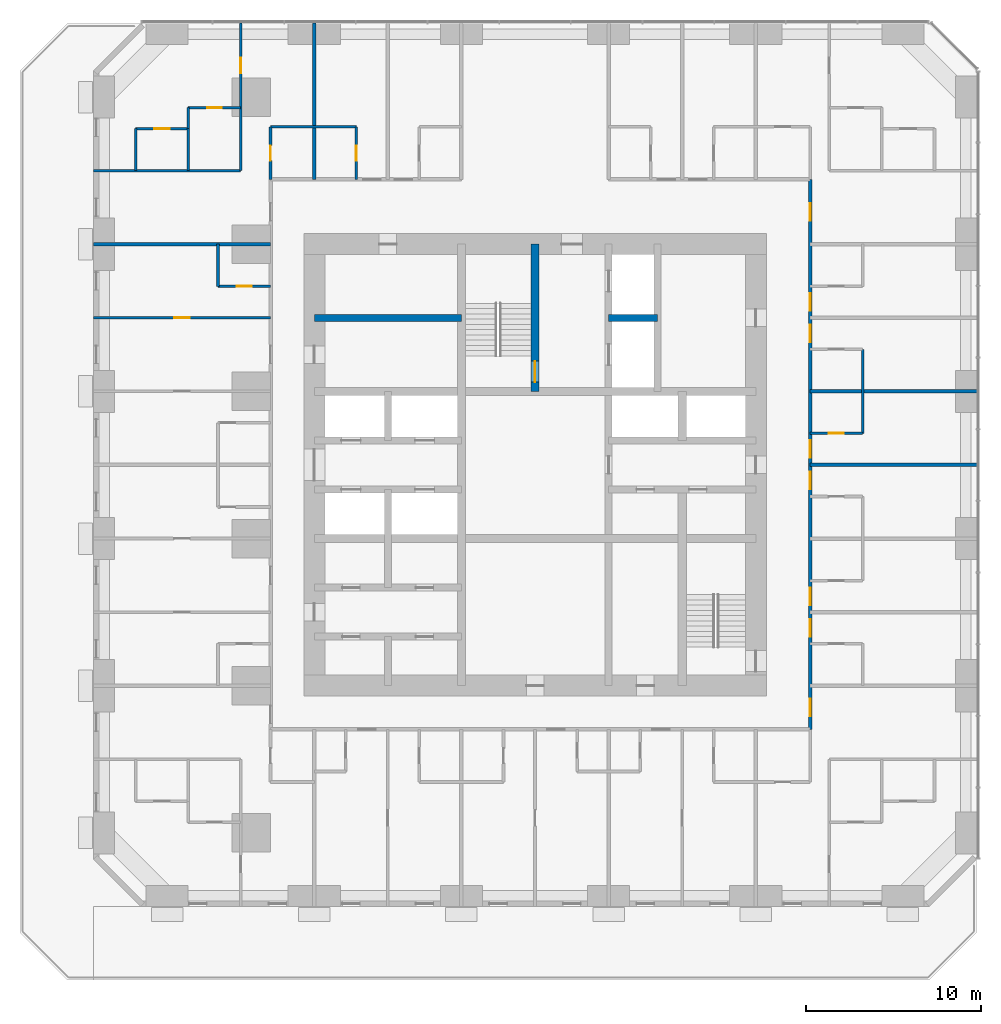
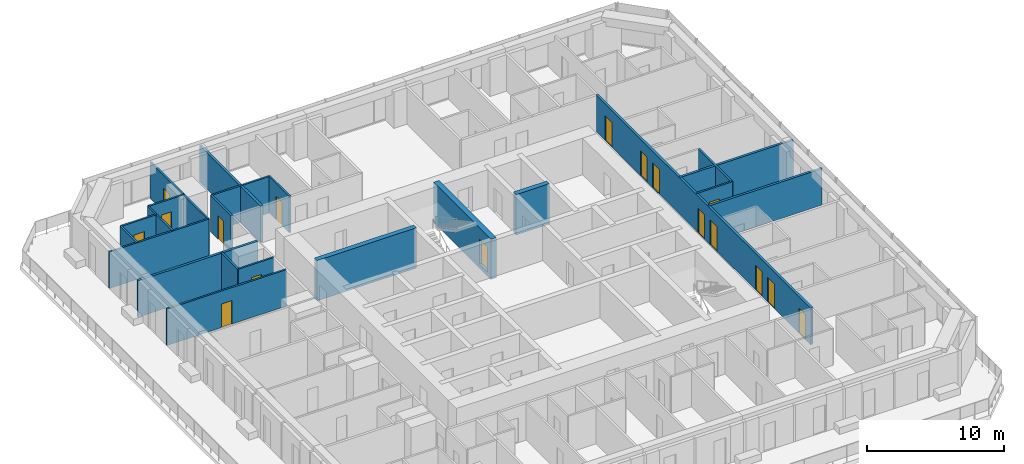
# One storey, part 10 of 14: 23 walls, 17 doors, 17 openings.
"""IFC4 building model written with IfcOpenShell, lengths in metres."""

from ifc_helpers import new_model, si_unit, direction, frame, frame_2d, origin, place, context, subcontext, project, spatial, rectangle, extrude, material, layer, layer_set, type_object, element, fill, save


model = new_model("IFC4")

# Units and contexts
model_context = context("Model", 3, precision=1e-05, world=origin(), true_north=direction((0.0, 1.0)))
body_context = subcontext(model_context, "Body", "Model", "MODEL_VIEW")
ifc_project = project(units=[si_unit("LENGTHUNIT", "METRE"), si_unit("AREAUNIT", "SQUARE_METRE"), si_unit("VOLUMEUNIT", "CUBIC_METRE"), si_unit("PLANEANGLEUNIT", "RADIAN"), si_unit("MASSUNIT", "GRAM", prefix="KILO")], contexts=[model_context])

# Site, building, storey
site_placement = place(None, origin())
site = spatial("IfcSite", under=ifc_project, at=site_placement, CompositionType="ELEMENT")
building_placement = place(site_placement, origin())
building = spatial("IfcBuilding", under=site, at=building_placement, Name="Dunama Terrace Hotel", CompositionType="ELEMENT")
storey_placement = place(building_placement, frame((0.0, 0.0, 159.0)))
storey = spatial("IfcBuildingStorey", under=building, at=storey_placement, Name="L40", CompositionType="ELEMENT", Elevation=159.0)

# Walls
ifc_material_1 = material(Name="Gypsum board partition", Category="masonry")
ifc_layer_1 = layer(ifc_material_1, 0.14990234375)
ifc_layer_set_1 = layer_set([ifc_layer_1], Name="Bathroom partition 150")
wall_type_1 = type_object("IfcWallType", Name="Bathroom partition 150", PredefinedType="PARTITIONING", material=ifc_layer_set_1)
wall_1_placement = place(storey_placement, frame((9.60009765625, 48.60009765625, 0.0), z_axis=(0.0, 0.0, 1.0), x_axis=(0.0, 1.0, 0.0)))
element("IfcWall", 1, at=wall_1_placement, inside=storey, type_object=wall_type_1, Name="Bathroom partition 150 L40", PredefinedType="PARTITIONING", context=body_context, shape_type="SweptSolid", body=[
    extrude(rectangle(XDim=1.199951171875, YDim=0.14990234375, at=frame_2d((0.60009765625, 0.0))), origin(), (0.0, 0.0, 1.0), 3.25),
])
wall_2_placement = place(storey_placement, frame((11.300048828125, 39.60009765625, 0.0), z_axis=(0.0, 0.0, 1.0), x_axis=(0.0, 1.0, 0.0)))
element("IfcWall", 2, at=wall_2_placement, inside=storey, type_object=wall_type_1, Name="Bathroom partition 150 L40", PredefinedType="PARTITIONING", context=body_context, shape_type="SweptSolid", body=[
    extrude(rectangle(XDim=2.39990234375, YDim=0.14990234375, at=frame_2d((1.199951171875, 0.0))), origin(), (0.0, 0.0, 1.0), 3.25),
])

# Wall, opening, door
wall_3_placement = place(storey_placement, frame((14.300048828125, 45.699951171875, 0.0), z_axis=(0.0, 0.0, 1.0), x_axis=(0.0, 1.0, 0.0)))
wall_3 = element("IfcWall", 3, at=wall_3_placement, inside=storey, type_object=wall_type_1, Name="Bathroom partition 150 L40", PredefinedType="PARTITIONING", context=body_context, shape_type="SweptSolid", body=[
    extrude(rectangle(XDim=3.0, YDim=0.14990234375, at=frame_2d((1.5, 0.0))), origin(), (0.0, 0.0, 1.0), 3.25),
])
opening_1_placement = place(wall_3_placement, frame((1.074951171875, 0.0, 0.0)))
opening_1 = element("IfcOpeningElement", 4, at=opening_1_placement, cuts=wall_3, Name="Opening L40-087", PredefinedType="OPENING", context=body_context, shape_type="SweptSolid", body=[
    extrude(rectangle(XDim=0.85009765625, YDim=2.10009765625, at=frame_2d((0.425048828125, 1.050048828125))), frame((0.0, 0.0849609375, 0.0), z_axis=(0.0, -1.0, 0.0), x_axis=(1.0, 0.0, 0.0)), (0.0, 0.0, 1.0), 0.169921875),
])
ifc_material_2 = material(Name="Timber door with steel frame", Category="steel")
door_type_1 = type_object("IfcDoorType", Name="Bathroom door 850", OperationType="SINGLE_SWING_LEFT", PredefinedType="DOOR", material=ifc_material_2)
door_1_placement = place(opening_1_placement, frame((0.85009765625, 0.0, 0.0), z_axis=(0.0, 0.0, 1.0), x_axis=(-1.0, 0.0, 0.0)))
door_1 = element("IfcDoor", 5, at=door_1_placement, inside=storey, type_object=door_type_1, Name="Door to powder room L40-087, type D2", OperationType="SINGLE_SWING_RIGHT", OverallHeight=2.10009765625, OverallWidth=0.85009765625, PredefinedType="DOOR", context=body_context, shape_type="SweptSolid", body=[
    extrude(rectangle(XDim=0.85009765625, YDim=2.10009765625, at=frame_2d((0.425048828125, 1.050048828125))), frame((0.0, 0.025146484375, 0.0), z_axis=(0.0, -1.0, 0.0), x_axis=(1.0, 0.0, 0.0)), (0.0, 0.0, 1.0), 0.050048828125),
])
fill(opening_1, door_1)

wall_4_placement = place(storey_placement, frame((19.199951171875, 45.699951171875, 0.0), z_axis=(0.0, 0.0, 1.0), x_axis=(0.0, 1.0, 0.0)))
wall_4 = element("IfcWall", 6, at=wall_4_placement, inside=storey, type_object=wall_type_1, Name="Bathroom partition 150 L40", PredefinedType="PARTITIONING", context=body_context, shape_type="SweptSolid", body=[
    extrude(rectangle(XDim=3.0, YDim=0.14990234375, at=frame_2d((1.5, 0.0))), origin(), (0.0, 0.0, 1.0), 3.25),
])
opening_2_placement = place(wall_4_placement, frame((1.074951171875, 0.0, 0.0)))
opening_2 = element("IfcOpeningElement", 7, at=opening_2_placement, cuts=wall_4, Name="Opening L40-054", PredefinedType="OPENING", context=body_context, shape_type="SweptSolid", body=[
    extrude(rectangle(XDim=0.85009765625, YDim=2.10009765625, at=frame_2d((0.425048828125, 1.050048828125))), frame((0.0, 0.0849609375, 0.0), z_axis=(0.0, -1.0, 0.0), x_axis=(1.0, 0.0, 0.0)), (0.0, 0.0, 1.0), 0.169921875),
])
door_2_placement = place(opening_2_placement, origin())
door_2 = element("IfcDoor", 8, at=door_2_placement, inside=storey, type_object=door_type_1, Name="Door to en-suite bathroom L40-054, type D2", OperationType="SINGLE_SWING_LEFT", OverallHeight=2.10009765625, OverallWidth=0.85009765625, PredefinedType="DOOR", context=body_context, shape_type="SweptSolid", body=[
    extrude(rectangle(XDim=0.85009765625, YDim=2.10009765625, at=frame_2d((0.425048828125, 1.050048828125))), frame((0.0, 0.02490234375, 0.0), z_axis=(0.0, -1.0, 0.0), x_axis=(1.0, 0.0, 0.0)), (0.0, 0.0, 1.0), 0.050048828125),
])
fill(opening_2, door_2)

# Wall
wall_5_placement = place(storey_placement, frame((48.10009765625, 31.199951171875, 0.0), z_axis=(0.0, 0.0, 1.0), x_axis=(0.0, 1.0, 0.0)))
element("IfcWall", 9, at=wall_5_placement, inside=storey, type_object=wall_type_1, Name="Bathroom partition 150 L40", PredefinedType="PARTITIONING", context=body_context, shape_type="SweptSolid", body=[
    extrude(rectangle(XDim=4.800048828125, YDim=0.14990234375, at=frame_2d((2.39990234375, 0.0))), origin(), (0.0, 0.0, 1.0), 3.25),
])

# Wall, opening, door
wall_6_placement = place(storey_placement, frame((45.10009765625, 31.199951171875, 0.0), z_axis=(0.0, 0.0, 1.0), x_axis=(1.0, 0.0, 0.0)))
wall_6 = element("IfcWall", 10, at=wall_6_placement, inside=storey, type_object=wall_type_1, Name="Bathroom partition 150 L40", PredefinedType="PARTITIONING", context=body_context, shape_type="SweptSolid", body=[
    extrude(rectangle(XDim=3.0, YDim=0.14990234375, at=frame_2d((1.5, 0.0))), origin(), (0.0, 0.0, 1.0), 3.25),
])
opening_3_placement = place(wall_6_placement, frame((1.074951171875, 0.0, 0.0)))
opening_3 = element("IfcOpeningElement", 11, at=opening_3_placement, cuts=wall_6, Name="Opening L40-048", PredefinedType="OPENING", context=body_context, shape_type="SweptSolid", body=[
    extrude(rectangle(XDim=0.85009765625, YDim=2.10009765625, at=frame_2d((0.425048828125, 1.050048828125))), frame((0.0, 0.0849609375, 0.0), z_axis=(0.0, -1.0, 0.0), x_axis=(1.0, 0.0, 0.0)), (0.0, 0.0, 1.0), 0.169921875),
])
door_3_placement = place(opening_3_placement, origin())
door_3 = element("IfcDoor", 12, at=door_3_placement, inside=storey, type_object=door_type_1, Name="Door to en-suite bathroom L40-048, type D2", OperationType="SINGLE_SWING_LEFT", OverallHeight=2.10009765625, OverallWidth=0.85009765625, PredefinedType="DOOR", context=body_context, shape_type="SweptSolid", body=[
    extrude(rectangle(XDim=0.85009765625, YDim=2.10009765625, at=frame_2d((0.425048828125, 1.050048828125))), frame((0.0, 0.02490234375, 0.0), z_axis=(0.0, -1.0, 0.0), x_axis=(1.0, 0.0, 0.0)), (0.0, 0.0, 1.0), 0.050048828125),
])
fill(opening_3, door_3)

wall_7_placement = place(storey_placement, frame((11.300048828125, 39.60009765625, 0.0), z_axis=(0.0, 0.0, 1.0), x_axis=(1.0, 0.0, 0.0)))
wall_7 = element("IfcWall", 13, at=wall_7_placement, inside=storey, type_object=wall_type_1, Name="Bathroom partition 150 L40", PredefinedType="PARTITIONING", context=body_context, shape_type="SweptSolid", body=[
    extrude(rectangle(XDim=3.0, YDim=0.14990234375, at=frame_2d((1.5, 0.0))), origin(), (0.0, 0.0, 1.0), 3.25),
])
opening_4_placement = place(wall_7_placement, frame((1.074951171875, 0.0, 0.0)))
opening_4 = element("IfcOpeningElement", 14, at=opening_4_placement, cuts=wall_7, Name="Opening L40-068", PredefinedType="OPENING", context=body_context, shape_type="SweptSolid", body=[
    extrude(rectangle(XDim=0.85009765625, YDim=2.10009765625, at=frame_2d((0.425048828125, 1.050048828125))), frame((0.0, 0.0849609375, 0.0), z_axis=(0.0, -1.0, 0.0), x_axis=(1.0, 0.0, 0.0)), (0.0, 0.0, 1.0), 0.169921875),
])
door_4_placement = place(opening_4_placement, origin())
door_4 = element("IfcDoor", 15, at=door_4_placement, inside=storey, type_object=door_type_1, Name="Door to en-suite bathroom L40-068, type D2", OperationType="SINGLE_SWING_LEFT", OverallHeight=2.10009765625, OverallWidth=0.85009765625, PredefinedType="DOOR", context=body_context, shape_type="SweptSolid", body=[
    extrude(rectangle(XDim=0.85009765625, YDim=2.10009765625, at=frame_2d((0.425048828125, 1.050048828125))), frame((0.0, 0.02490234375, 0.0), z_axis=(0.0, -1.0, 0.0), x_axis=(1.0, 0.0, 0.0)), (0.0, 0.0, 1.0), 0.050048828125),
])
fill(opening_4, door_4)

# Wall
wall_8_placement = place(storey_placement, frame((14.300048828125, 48.699951171875, 0.0), z_axis=(0.0, 0.0, 1.0), x_axis=(1.0, 0.0, 0.0)))
element("IfcWall", 16, at=wall_8_placement, inside=storey, type_object=wall_type_1, Name="Bathroom partition 150 L40", PredefinedType="PARTITIONING", context=body_context, shape_type="SweptSolid", body=[
    extrude(rectangle(XDim=4.89990234375, YDim=0.14990234375, at=frame_2d((2.449951171875, 0.0))), origin(), (0.0, 0.0, 1.0), 3.25),
])

# Wall, opening, door
wall_9_placement = place(storey_placement, frame((9.60009765625, 49.800048828125, 0.0), z_axis=(0.0, 0.0, 1.0), x_axis=(1.0, 0.0, 0.0)))
wall_9 = element("IfcWall", 17, at=wall_9_placement, inside=storey, type_object=wall_type_1, Name="Bathroom partition 150 L40", PredefinedType="PARTITIONING", context=body_context, shape_type="SweptSolid", body=[
    extrude(rectangle(XDim=3.0, YDim=0.14990234375, at=frame_2d((1.5, 0.0))), origin(), (0.0, 0.0, 1.0), 3.25),
])
opening_5_placement = place(wall_9_placement, frame((1.074951171875, 0.0, 0.0)))
opening_5 = element("IfcOpeningElement", 18, at=opening_5_placement, cuts=wall_9, Name="Opening L40-089", PredefinedType="OPENING", context=body_context, shape_type="SweptSolid", body=[
    extrude(rectangle(XDim=0.85009765625, YDim=2.10009765625, at=frame_2d((0.425048828125, 1.050048828125))), frame((0.0, 0.0849609375, 0.0), z_axis=(0.0, -1.0, 0.0), x_axis=(1.0, 0.0, 0.0)), (0.0, 0.0, 1.0), 0.169921875),
])
door_5_placement = place(opening_5_placement, frame((0.85009765625, 0.0, 0.0), z_axis=(0.0, 0.0, 1.0), x_axis=(-1.0, 0.0, 0.0)))
door_5 = element("IfcDoor", 19, at=door_5_placement, inside=storey, type_object=door_type_1, Name="Door to en-suite bathroom L40-089, type D2", OperationType="SINGLE_SWING_LEFT", OverallHeight=2.10009765625, OverallWidth=0.85009765625, PredefinedType="DOOR", context=body_context, shape_type="SweptSolid", body=[
    extrude(rectangle(XDim=0.85009765625, YDim=2.10009765625, at=frame_2d((0.425048828125, 1.050048828125))), frame((0.0, 0.025146484375, 0.0), z_axis=(0.0, -1.0, 0.0), x_axis=(1.0, 0.0, 0.0)), (0.0, 0.0, 1.0), 0.050048828125),
])
fill(opening_5, door_5)

# Walls
ifc_material_3 = material(Name="Concrete C50/60", Category="concrete")
ifc_layer_2 = layer(ifc_material_3, 0.39990234375)
ifc_layer_set_2 = layer_set([ifc_layer_2], Name="Core inner wall 400")
wall_type_2 = type_object("IfcWallType", Name="Core inner wall 400", PredefinedType="SHEAR", material=ifc_layer_set_2)
wall_10_placement = place(storey_placement, frame((16.800048828125, 37.800048828125, -0.35009765625), z_axis=(0.0, 0.0, 1.0), x_axis=(1.0, 0.0, 0.0)))
element("IfcWall", 20, at=wall_10_placement, inside=storey, type_object=wall_type_2, Name="Core inner wall 400 L40", PredefinedType="SHEAR", context=body_context, shape_type="SweptSolid", body=[
    extrude(rectangle(XDim=8.39990234375, YDim=0.39990234375, at=frame_2d((4.199951171875, 0.0))), origin(), (0.0, 0.0, 1.0), 3.60009765625),
])
wall_11_placement = place(storey_placement, frame((33.60009765625, 37.800048828125, -0.35009765625), z_axis=(0.0, 0.0, 1.0), x_axis=(1.0, 0.0, 0.0)))
element("IfcWall", 21, at=wall_11_placement, inside=storey, type_object=wall_type_2, Name="Core inner wall 400 L40", PredefinedType="SHEAR", context=body_context, shape_type="SweptSolid", body=[
    extrude(rectangle(XDim=2.7998046875, YDim=0.39990234375, at=frame_2d((1.39990234375, 0.0))), origin(), (0.0, 0.0, 1.0), 3.60009765625),
])

# Wall, opening, door
ifc_material_4 = material(Name="Concrete C50/60", Category="concrete")
ifc_layer_3 = layer(ifc_material_4, 0.449951171875)
ifc_layer_set_3 = layer_set([ifc_layer_3], Name="Core inner wall 450")
wall_type_3 = type_object("IfcWallType", Name="Core inner wall 450", PredefinedType="SHEAR", material=ifc_layer_set_3)
wall_12_placement = place(storey_placement, frame((29.39990234375, 33.60009765625, -0.35009765625), z_axis=(0.0, 0.0, 1.0), x_axis=(0.0, 1.0, 0.0)))
wall_12 = element("IfcWall", 22, at=wall_12_placement, inside=storey, type_object=wall_type_3, Name="Core inner wall 450 L40", PredefinedType="SHEAR", context=body_context, shape_type="SweptSolid", body=[
    extrude(rectangle(XDim=8.39990234375, YDim=0.449951171875, at=frame_2d((4.199951171875, 0.0))), origin(), (0.0, 0.0, 1.0), 3.60009765625),
])
opening_6_placement = place(wall_12_placement, frame((0.52490234375, 0.0, 0.35009765625)))
opening_6 = element("IfcOpeningElement", 23, at=opening_6_placement, cuts=wall_12, Name="Opening L40-021", PredefinedType="OPENING", context=body_context, shape_type="SweptSolid", body=[
    extrude(rectangle(XDim=1.199951171875, YDim=2.199951171875, at=frame_2d((0.60009765625, 1.10009765625))), frame((0.0, 0.23486328125, 0.0), z_axis=(0.0, -1.0, 0.0), x_axis=(1.0, 0.0, 0.0)), (0.0, 0.0, 1.0), 0.469970703125),
])
ifc_material_5 = material(Name="Timber door with steel frame", Category="steel")
door_type_2 = type_object("IfcDoorType", Name="Stair door 1200", OperationType="SINGLE_SWING_LEFT", PredefinedType="DOOR", material=ifc_material_5)
door_6_placement = place(opening_6_placement, origin())
door_6 = element("IfcDoor", 24, at=door_6_placement, inside=storey, type_object=door_type_2, Name="Stair door ST1 L40-021, type D5", OperationType="SINGLE_SWING_LEFT", OverallHeight=2.199951171875, OverallWidth=1.199951171875, PredefinedType="DOOR", context=body_context, shape_type="SweptSolid", body=[
    extrude(rectangle(XDim=1.199951171875, YDim=2.199951171875, at=frame_2d((0.60009765625, 1.10009765625))), frame((0.0, 0.02490234375, 0.0), z_axis=(0.0, -1.0, 0.0), x_axis=(1.0, 0.0, 0.0)), (0.0, 0.0, 1.0), 0.050048828125),
])
fill(opening_6, door_6)

# Wall, openings, doors
ifc_material_6 = material(Name="Concrete blockwork", Category="masonry")
ifc_layer_4 = layer(ifc_material_6, 0.199951171875)
ifc_layer_set_4 = layer_set([ifc_layer_4], Name="Corridor partition 200")
wall_type_4 = type_object("IfcWallType", Name="Corridor partition 200", PredefinedType="PARTITIONING", material=ifc_layer_set_4)
wall_13_placement = place(storey_placement, frame((45.10009765625, 45.699951171875, 0.0), z_axis=(0.0, 0.0, 1.0), x_axis=(0.0, -1.0, 0.0)))
wall_13 = element("IfcWall", 25, at=wall_13_placement, inside=storey, type_object=wall_type_4, Name="Corridor partition 200 L40", PredefinedType="PARTITIONING", context=body_context, shape_type="SweptSolid", body=[
    extrude(rectangle(XDim=31.39990234375, YDim=0.199951171875, at=frame_2d((15.699951171875, 0.0))), origin(), (0.0, 0.0, 1.0), 3.25),
])
opening_7_placement = place(wall_13_placement, frame((25.10009765625, 0.0, 0.0)))
opening_7 = element("IfcOpeningElement", 26, at=opening_7_placement, cuts=wall_13, Name="Opening L40-041", PredefinedType="OPENING", context=body_context, shape_type="SweptSolid", body=[
    extrude(rectangle(XDim=1.0, YDim=2.199951171875, at=frame_2d((0.5, 1.10009765625))), frame((0.0, 0.10986328125, 0.0), z_axis=(0.0, -1.0, 0.0), x_axis=(1.0, 0.0, 0.0)), (0.0, 0.0, 1.0), 0.219970703125),
])
opening_8_placement = place(wall_13_placement, frame((23.300048828125, 0.0, 0.0)))
opening_8 = element("IfcOpeningElement", 27, at=opening_8_placement, cuts=wall_13, Name="Opening L40-043", PredefinedType="OPENING", context=body_context, shape_type="SweptSolid", body=[
    extrude(rectangle(XDim=1.0, YDim=2.199951171875, at=frame_2d((0.5, 1.10009765625))), frame((0.0, 0.10986328125, 0.0), z_axis=(0.0, -1.0, 0.0), x_axis=(1.0, 0.0, 0.0)), (0.0, 0.0, 1.0), 0.219970703125),
])
opening_9_placement = place(wall_13_placement, frame((16.699951171875, 0.0, 0.0)))
opening_9 = element("IfcOpeningElement", 28, at=opening_9_placement, cuts=wall_13, Name="Opening L40-045", PredefinedType="OPENING", context=body_context, shape_type="SweptSolid", body=[
    extrude(rectangle(XDim=1.0, YDim=2.199951171875, at=frame_2d((0.5, 1.10009765625))), frame((0.0, 0.10986328125, 0.0), z_axis=(0.0, -1.0, 0.0), x_axis=(1.0, 0.0, 0.0)), (0.0, 0.0, 1.0), 0.219970703125),
])
opening_10_placement = place(wall_13_placement, frame((14.89990234375, 0.0, 0.0)))
opening_10 = element("IfcOpeningElement", 29, at=opening_10_placement, cuts=wall_13, Name="Opening L40-047", PredefinedType="OPENING", context=body_context, shape_type="SweptSolid", body=[
    extrude(rectangle(XDim=1.0, YDim=2.199951171875, at=frame_2d((0.5, 1.10009765625))), frame((0.0, 0.10986328125, 0.0), z_axis=(0.0, -1.0, 0.0), x_axis=(1.0, 0.0, 0.0)), (0.0, 0.0, 1.0), 0.219970703125),
])
opening_11_placement = place(wall_13_placement, frame((8.300048828125, 0.0, 0.0)))
opening_11 = element("IfcOpeningElement", 30, at=opening_11_placement, cuts=wall_13, Name="Opening L40-049", PredefinedType="OPENING", context=body_context, shape_type="SweptSolid", body=[
    extrude(rectangle(XDim=1.0, YDim=2.199951171875, at=frame_2d((0.5, 1.10009765625))), frame((0.0, 0.10986328125, 0.0), z_axis=(0.0, -1.0, 0.0), x_axis=(1.0, 0.0, 0.0)), (0.0, 0.0, 1.0), 0.219970703125),
])
opening_12_placement = place(wall_13_placement, frame((6.5, 0.0, 0.0)))
opening_12 = element("IfcOpeningElement", 31, at=opening_12_placement, cuts=wall_13, Name="Opening L40-051", PredefinedType="OPENING", context=body_context, shape_type="SweptSolid", body=[
    extrude(rectangle(XDim=1.0, YDim=2.199951171875, at=frame_2d((0.5, 1.10009765625))), frame((0.0, 0.10986328125, 0.0), z_axis=(0.0, -1.0, 0.0), x_axis=(1.0, 0.0, 0.0)), (0.0, 0.0, 1.0), 0.219970703125),
])
opening_13_placement = place(wall_13_placement, frame((29.64990234375, 0.0, 0.0)))
opening_13 = element("IfcOpeningElement", 32, at=opening_13_placement, cuts=wall_13, Name="Opening L40-076", PredefinedType="OPENING", context=body_context, shape_type="SweptSolid", body=[
    extrude(rectangle(XDim=1.0, YDim=2.199951171875, at=frame_2d((0.5, 1.10009765625))), frame((0.0, 0.10986328125, 0.0), z_axis=(0.0, -1.0, 0.0), x_axis=(1.0, 0.0, 0.0)), (0.0, 0.0, 1.0), 0.219970703125),
])
opening_14_placement = place(wall_13_placement, frame((1.35009765625, 0.0, 0.0)))
opening_14 = element("IfcOpeningElement", 33, at=opening_14_placement, cuts=wall_13, Name="Opening L40-081", PredefinedType="OPENING", context=body_context, shape_type="SweptSolid", body=[
    extrude(rectangle(XDim=1.0, YDim=2.199951171875, at=frame_2d((0.5, 1.10009765625))), frame((0.0, 0.10986328125, 0.0), z_axis=(0.0, -1.0, 0.0), x_axis=(1.0, 0.0, 0.0)), (0.0, 0.0, 1.0), 0.219970703125),
])
ifc_material_7 = material(Name="Timber door with steel frame", Category="steel")
door_type_3 = type_object("IfcDoorType", Name="Guest room door 1000", OperationType="SINGLE_SWING_LEFT", PredefinedType="DOOR", material=ifc_material_7)
door_7_placement = place(opening_7_placement, origin())
door_7 = element("IfcDoor", 34, at=door_7_placement, inside=storey, type_object=door_type_3, Name="Door to club room L40-041, type D1", OperationType="SINGLE_SWING_LEFT", OverallHeight=2.199951171875, OverallWidth=1.0, PredefinedType="DOOR", context=body_context, shape_type="SweptSolid", body=[
    extrude(rectangle(XDim=1.0, YDim=2.199951171875, at=frame_2d((0.5, 1.10009765625))), frame((0.0, 0.02490234375, 0.0), z_axis=(0.0, -1.0, 0.0), x_axis=(1.0, 0.0, 0.0)), (0.0, 0.0, 1.0), 0.050048828125),
])
fill(opening_7, door_7)
door_8_placement = place(opening_8_placement, origin())
door_8 = element("IfcDoor", 35, at=door_8_placement, inside=storey, type_object=door_type_3, Name="Door to club room L40-043, type D1", OperationType="SINGLE_SWING_RIGHT", OverallHeight=2.199951171875, OverallWidth=1.0, PredefinedType="DOOR", context=body_context, shape_type="SweptSolid", body=[
    extrude(rectangle(XDim=1.0, YDim=2.199951171875, at=frame_2d((0.5, 1.10009765625))), frame((0.0, 0.02490234375, 0.0), z_axis=(0.0, -1.0, 0.0), x_axis=(1.0, 0.0, 0.0)), (0.0, 0.0, 1.0), 0.050048828125),
])
fill(opening_8, door_8)
door_9_placement = place(opening_9_placement, origin())
door_9 = element("IfcDoor", 36, at=door_9_placement, inside=storey, type_object=door_type_3, Name="Door to club room L40-045, type D1", OperationType="SINGLE_SWING_LEFT", OverallHeight=2.199951171875, OverallWidth=1.0, PredefinedType="DOOR", context=body_context, shape_type="SweptSolid", body=[
    extrude(rectangle(XDim=1.0, YDim=2.199951171875, at=frame_2d((0.5, 1.10009765625))), frame((0.0, 0.02490234375, 0.0), z_axis=(0.0, -1.0, 0.0), x_axis=(1.0, 0.0, 0.0)), (0.0, 0.0, 1.0), 0.050048828125),
])
fill(opening_9, door_9)
door_10_placement = place(opening_10_placement, origin())
door_10 = element("IfcDoor", 37, at=door_10_placement, inside=storey, type_object=door_type_3, Name="Door to club room L40-047, type D1", OperationType="SINGLE_SWING_RIGHT", OverallHeight=2.199951171875, OverallWidth=1.0, PredefinedType="DOOR", context=body_context, shape_type="SweptSolid", body=[
    extrude(rectangle(XDim=1.0, YDim=2.199951171875, at=frame_2d((0.5, 1.10009765625))), frame((0.0, 0.02490234375, 0.0), z_axis=(0.0, -1.0, 0.0), x_axis=(1.0, 0.0, 0.0)), (0.0, 0.0, 1.0), 0.050048828125),
])
fill(opening_10, door_10)
door_11_placement = place(opening_11_placement, origin())
door_11 = element("IfcDoor", 38, at=door_11_placement, inside=storey, type_object=door_type_3, Name="Door to club room L40-049, type D1", OperationType="SINGLE_SWING_LEFT", OverallHeight=2.199951171875, OverallWidth=1.0, PredefinedType="DOOR", context=body_context, shape_type="SweptSolid", body=[
    extrude(rectangle(XDim=1.0, YDim=2.199951171875, at=frame_2d((0.5, 1.10009765625))), frame((0.0, 0.02490234375, 0.0), z_axis=(0.0, -1.0, 0.0), x_axis=(1.0, 0.0, 0.0)), (0.0, 0.0, 1.0), 0.050048828125),
])
fill(opening_11, door_11)
door_12_placement = place(opening_12_placement, origin())
door_12 = element("IfcDoor", 39, at=door_12_placement, inside=storey, type_object=door_type_3, Name="Door to club room L40-051, type D1", OperationType="SINGLE_SWING_RIGHT", OverallHeight=2.199951171875, OverallWidth=1.0, PredefinedType="DOOR", context=body_context, shape_type="SweptSolid", body=[
    extrude(rectangle(XDim=1.0, YDim=2.199951171875, at=frame_2d((0.5, 1.10009765625))), frame((0.0, 0.02490234375, 0.0), z_axis=(0.0, -1.0, 0.0), x_axis=(1.0, 0.0, 0.0)), (0.0, 0.0, 1.0), 0.050048828125),
])
fill(opening_12, door_12)
door_13_placement = place(opening_13_placement, origin())
door_13 = element("IfcDoor", 40, at=door_13_placement, inside=storey, type_object=door_type_3, Name="Door to corner suite living room L40-076, type D1", OperationType="SINGLE_SWING_LEFT", OverallHeight=2.199951171875, OverallWidth=1.0, PredefinedType="DOOR", context=body_context, shape_type="SweptSolid", body=[
    extrude(rectangle(XDim=1.0, YDim=2.199951171875, at=frame_2d((0.5, 1.10009765625))), frame((0.0, 0.02490234375, 0.0), z_axis=(0.0, -1.0, 0.0), x_axis=(1.0, 0.0, 0.0)), (0.0, 0.0, 1.0), 0.050048828125),
])
fill(opening_13, door_13)
door_14_placement = place(opening_14_placement, origin())
door_14 = element("IfcDoor", 41, at=door_14_placement, inside=storey, type_object=door_type_3, Name="Door to corner suite living room L40-081, type D1", OperationType="SINGLE_SWING_LEFT", OverallHeight=2.199951171875, OverallWidth=1.0, PredefinedType="DOOR", context=body_context, shape_type="SweptSolid", body=[
    extrude(rectangle(XDim=1.0, YDim=2.199951171875, at=frame_2d((0.5, 1.10009765625))), frame((0.0, 0.02490234375, 0.0), z_axis=(0.0, -1.0, 0.0), x_axis=(1.0, 0.0, 0.0)), (0.0, 0.0, 1.0), 0.050048828125),
])
fill(opening_14, door_14)

# Walls
ifc_material_8 = material(Name="Concrete blockwork", Category="masonry")
ifc_layer_5 = layer(ifc_material_8, 0.199951171875)
ifc_layer_set_5 = layer_set([ifc_layer_5], Name="Party wall 200")
wall_type_5 = type_object("IfcWallType", Name="Party wall 200", PredefinedType="PARTITIONING", material=ifc_layer_set_5)
wall_14_placement = place(storey_placement, frame((16.800048828125, 45.699951171875, 0.0), z_axis=(0.0, 0.0, 1.0), x_axis=(0.0, 1.0, 0.0)))
element("IfcWall", 42, at=wall_14_placement, inside=storey, type_object=wall_type_5, Name="Party wall 200 L40", PredefinedType="PARTITIONING", context=body_context, shape_type="SweptSolid", body=[
    extrude(rectangle(XDim=8.91796875, YDim=0.199951171875, at=frame_2d((4.458984375, 0.0))), origin(), (0.0, 0.0, 1.0), 3.25),
])
for number, where, z_axis, x_axis, name in (
    (43, (45.10009765625, 29.39990234375, 0.0), (0.0, 0.0, 1.0), (1.0, 0.0, 0.0), "Party wall 200 L40"),
    (44, (45.10009765625, 33.60009765625, 0.0), (0.0, 0.0, 1.0), (1.0, 0.0, 0.0), "Party wall 200 L40"),
):
    element("IfcWall", number, at=place(storey_placement, frame(where, z_axis=z_axis, x_axis=x_axis)), inside=storey, type_object=wall_type_5, Name=name, PredefinedType="PARTITIONING", context=body_context, shape_type="SweptSolid", body=[
        extrude(rectangle(XDim=9.517822265625, YDim=0.199951171875, at=frame_2d((4.7587890625, 0.0))), origin(), (0.0, 0.0, 1.0), 3.25),
    ])
wall_15_placement = place(storey_placement, frame((4.199951171875, 42.0, 0.0), z_axis=(0.0, 0.0, 1.0), x_axis=(1.0, 0.0, 0.0)))
element("IfcWall", 45, at=wall_15_placement, inside=storey, type_object=wall_type_5, Name="Party wall 200 L40", PredefinedType="PARTITIONING", context=body_context, shape_type="SweptSolid", body=[
    extrude(rectangle(XDim=10.10009765625, YDim=0.199951171875, at=frame_2d((5.050048828125, 0.0))), origin(), (0.0, 0.0, 1.0), 3.25),
])
ifc_material_9 = material(Name="Gypsum board partition", Category="masonry")
ifc_layer_6 = layer(ifc_material_9, 0.14990234375)
ifc_layer_set_6 = layer_set([ifc_layer_6], Name="Room partition 150")
wall_type_6 = type_object("IfcWallType", Name="Room partition 150", PredefinedType="PARTITIONING", material=ifc_layer_set_6)
for number, where, z_axis, x_axis, name in (
    (46, (6.60009765625, 46.199951171875, 0.0), (0.0, 0.0, 1.0), (0.0, 1.0, 0.0), "Room partition 150 L40"),
    (47, (9.60009765625, 46.199951171875, 0.0), (0.0, 0.0, 1.0), (0.0, 1.0, 0.0), "Room partition 150 L40"),
):
    element("IfcWall", number, at=place(storey_placement, frame(where, z_axis=z_axis, x_axis=x_axis)), inside=storey, type_object=wall_type_6, Name=name, PredefinedType="PARTITIONING", context=body_context, shape_type="SweptSolid", body=[
        extrude(rectangle(XDim=2.400146484375, YDim=0.14990234375, at=frame_2d((1.2001953125, 0.0))), origin(), (0.0, 0.0, 1.0), 3.25),
    ])

# Wall, opening, door
wall_16_placement = place(storey_placement, frame((12.60009765625, 46.199951171875, 0.0), z_axis=(0.0, 0.0, 1.0), x_axis=(0.0, 1.0, 0.0)))
wall_16 = element("IfcWall", 48, at=wall_16_placement, inside=storey, type_object=wall_type_6, Name="Room partition 150 L40", PredefinedType="PARTITIONING", context=body_context, shape_type="SweptSolid", body=[
    extrude(rectangle(XDim=8.41796875, YDim=0.14990234375, at=frame_2d((4.208984375, 0.0))), origin(), (0.0, 0.0, 1.0), 3.25),
])
opening_15_placement = place(wall_16_placement, frame((5.550048828125, 0.0, 0.0)))
opening_15 = element("IfcOpeningElement", 49, at=opening_15_placement, cuts=wall_16, Name="Opening L40-088", PredefinedType="OPENING", context=body_context, shape_type="SweptSolid", body=[
    extrude(rectangle(XDim=0.89990234375, YDim=2.10009765625, at=frame_2d((0.449951171875, 1.050048828125))), frame((0.0, 0.0849609375, 0.0), z_axis=(0.0, -1.0, 0.0), x_axis=(1.0, 0.0, 0.0)), (0.0, 0.0, 1.0), 0.169921875),
])
ifc_material_10 = material(Name="Timber door with steel frame", Category="steel")
door_type_4 = type_object("IfcDoorType", Name="Suite internal door 900", OperationType="SINGLE_SWING_LEFT", PredefinedType="DOOR", material=ifc_material_10)
door_15_placement = place(opening_15_placement, origin())
door_15 = element("IfcDoor", 50, at=door_15_placement, inside=storey, type_object=door_type_4, Name="Door to corner suite bedroom L40-088, type D16", OperationType="SINGLE_SWING_LEFT", OverallHeight=2.10009765625, OverallWidth=0.89990234375, PredefinedType="DOOR", context=body_context, shape_type="SweptSolid", body=[
    extrude(rectangle(XDim=0.89990234375, YDim=2.10009765625, at=frame_2d((0.449951171875, 1.050048828125))), frame((0.0, 0.02490234375, 0.0), z_axis=(0.0, -1.0, 0.0), x_axis=(1.0, 0.0, 0.0)), (0.0, 0.0, 1.0), 0.050048828125),
])
fill(opening_15, door_15)

wall_17_placement = place(storey_placement, frame((4.199951171875, 37.800048828125, 0.0), z_axis=(0.0, 0.0, 1.0), x_axis=(1.0, 0.0, 0.0)))
wall_17 = element("IfcWall", 51, at=wall_17_placement, inside=storey, type_object=wall_type_6, Name="Room partition 150 L40", PredefinedType="PARTITIONING", context=body_context, shape_type="SweptSolid", body=[
    extrude(rectangle(XDim=10.10009765625, YDim=0.14990234375, at=frame_2d((5.050048828125, 0.0))), origin(), (0.0, 0.0, 1.0), 3.25),
])
opening_16_placement = place(wall_17_placement, frame((4.60009765625, 0.0, 0.0)))
opening_16 = element("IfcOpeningElement", 52, at=opening_16_placement, cuts=wall_17, Name="Opening L40-067", PredefinedType="OPENING", context=body_context, shape_type="SweptSolid", body=[
    extrude(rectangle(XDim=0.89990234375, YDim=2.10009765625, at=frame_2d((0.449951171875, 1.050048828125))), frame((0.0, 0.0849609375, 0.0), z_axis=(0.0, -1.0, 0.0), x_axis=(1.0, 0.0, 0.0)), (0.0, 0.0, 1.0), 0.169921875),
])
door_16_placement = place(opening_16_placement, origin())
door_16 = element("IfcDoor", 53, at=door_16_placement, inside=storey, type_object=door_type_4, Name="Door to family club suite bedroom L40-067, type D16", OperationType="SINGLE_SWING_RIGHT", OverallHeight=2.10009765625, OverallWidth=0.89990234375, PredefinedType="DOOR", context=body_context, shape_type="SweptSolid", body=[
    extrude(rectangle(XDim=0.89990234375, YDim=2.10009765625, at=frame_2d((0.449951171875, 1.050048828125))), frame((0.0, 0.02490234375, 0.0), z_axis=(0.0, -1.0, 0.0), x_axis=(1.0, 0.0, 0.0)), (0.0, 0.0, 1.0), 0.050048828125),
])
fill(opening_16, door_16)

# Wall
wall_18_placement = place(storey_placement, frame((4.199951171875, 46.199951171875, 0.0), z_axis=(0.0, 0.0, 1.0), x_axis=(1.0, 0.0, 0.0)))
element("IfcWall", 54, at=wall_18_placement, inside=storey, type_object=wall_type_6, Name="Room partition 150 L40", PredefinedType="PARTITIONING", context=body_context, shape_type="SweptSolid", body=[
    extrude(rectangle(XDim=8.400146484375, YDim=0.14990234375, at=frame_2d((4.2001953125, 0.0))), origin(), (0.0, 0.0, 1.0), 3.25),
])

# Wall, opening, door
wall_19_placement = place(storey_placement, frame((6.60009765625, 48.60009765625, 0.0), z_axis=(0.0, 0.0, 1.0), x_axis=(1.0, 0.0, 0.0)))
wall_19 = element("IfcWall", 55, at=wall_19_placement, inside=storey, type_object=wall_type_6, Name="Room partition 150 L40", PredefinedType="PARTITIONING", context=body_context, shape_type="SweptSolid", body=[
    extrude(rectangle(XDim=3.0, YDim=0.14990234375, at=frame_2d((1.5, 0.0))), origin(), (0.0, 0.0, 1.0), 3.25),
])
opening_17_placement = place(wall_19_placement, frame((1.050048828125, 0.0, 0.0)))
opening_17 = element("IfcOpeningElement", 56, at=opening_17_placement, cuts=wall_19, Name="Opening L40-090", PredefinedType="OPENING", context=body_context, shape_type="SweptSolid", body=[
    extrude(rectangle(XDim=0.89990234375, YDim=2.10009765625, at=frame_2d((0.449951171875, 1.050048828125))), frame((0.0, 0.0849609375, 0.0), z_axis=(0.0, -1.0, 0.0), x_axis=(1.0, 0.0, 0.0)), (0.0, 0.0, 1.0), 0.169921875),
])
door_17_placement = place(opening_17_placement, frame((0.89990234375, 0.0, 0.0), z_axis=(0.0, 0.0, 1.0), x_axis=(-1.0, 0.0, 0.0)))
door_17 = element("IfcDoor", 57, at=door_17_placement, inside=storey, type_object=door_type_4, Name="Door to dressing room L40-090, type D16", OperationType="SINGLE_SWING_RIGHT", OverallHeight=2.10009765625, OverallWidth=0.89990234375, PredefinedType="DOOR", context=body_context, shape_type="SweptSolid", body=[
    extrude(rectangle(XDim=0.89990234375, YDim=2.10009765625, at=frame_2d((0.449951171875, 1.050048828125))), frame((0.0, 0.025146484375, 0.0), z_axis=(0.0, -1.0, 0.0), x_axis=(1.0, 0.0, 0.0)), (0.0, 0.0, 1.0), 0.050048828125),
])
fill(opening_17, door_17)

save(model, "model.ifc")
